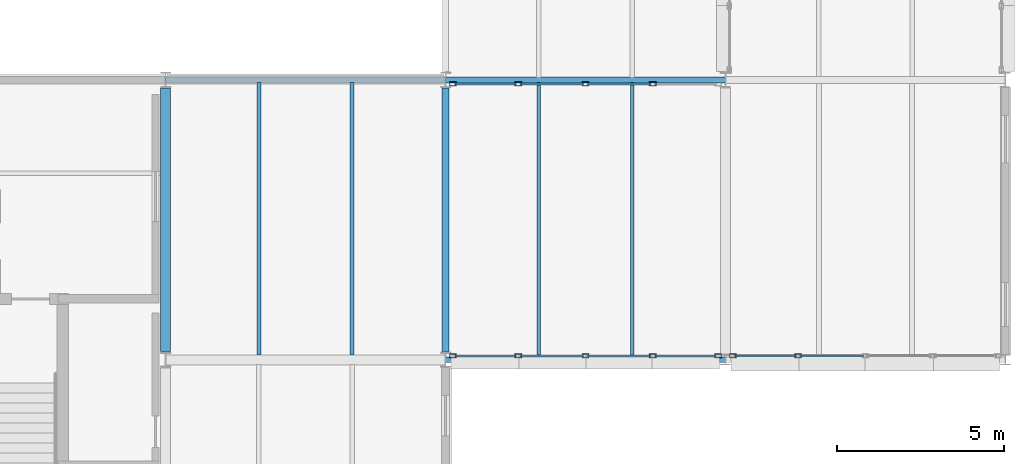
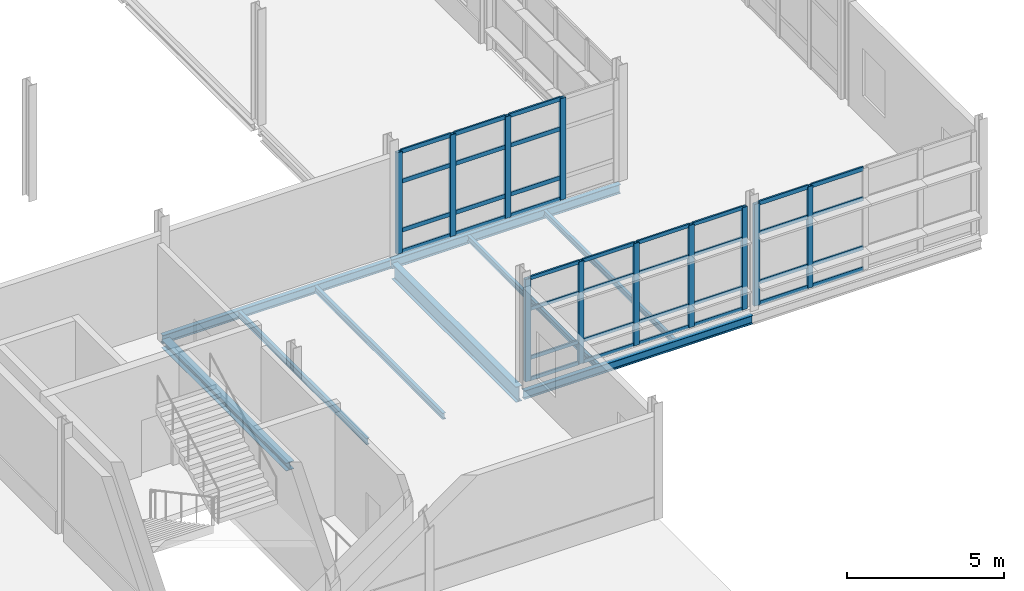
# One storey, part 37 of 129: 47 members, 9 beams, 3 elements without a shape of their own.
"""IFC4 building model written with IfcOpenShell, lengths in metres."""

from ifc_helpers import new_model, si_unit, direction, frame, origin, origin_2d, place, context, subcontext, project, spatial, hollow_rectangle, i_section, extrude, material, material_profile, profile_set, type_object, element, aggregate, save


model = new_model("IFC4")

# Units and contexts
model_context = context("Model", 3, precision=1e-05, world=origin(), true_north=direction((0.0, 1.0)))
body_context = subcontext(model_context, "Body", "Model", "MODEL_VIEW")
ifc_project = project(units=[si_unit("LENGTHUNIT", "METRE"), si_unit("AREAUNIT", "SQUARE_METRE"), si_unit("VOLUMEUNIT", "CUBIC_METRE"), si_unit("PLANEANGLEUNIT", "RADIAN"), si_unit("MASSUNIT", "GRAM", prefix="KILO")], contexts=[model_context])

# Site, building, storey
site_placement = place(None, origin())
site = spatial("IfcSite", under=ifc_project, at=site_placement, CompositionType="ELEMENT")
building_placement = place(site_placement, origin())
building = spatial("IfcBuilding", under=site, at=building_placement, Name="Mersafa Astral City Hall", CompositionType="ELEMENT")
storey_placement = place(building_placement, frame((0.0, 0.0, 5.39990234375)))
storey = spatial("IfcBuildingStorey", under=building, at=storey_placement, Name="L01", CompositionType="ELEMENT", Elevation=5.39990234375)

# Curtain wall, members
ifc_material_1 = material(Name="Anodised bronze aluminium framing", Category="aluminium")
curtain_wall_type_1 = type_object("IfcCurtainWallType", Name="ENV-CW-5", PredefinedType="USERDEFINED", material=ifc_material_1)
curtain_wall_1_placement = place(storey_placement, origin())
curtain_wall_1 = element("IfcCurtainWall", 1, at=curtain_wall_1_placement, inside=storey, type_object=curtain_wall_type_1, Name="L01 Unitised solar curtain wall 82", ObjectType="UNITISED CURTAIN WALL", PredefinedType="USERDEFINED")
ifc_material_profile_1 = material_profile(ifc_material_1, hollow_rectangle(XDim=0.1201171875, YDim=0.199951171875, WallThickness=0.008056640625, at=origin_2d()), Name="RHS 120x200x8")
ifc_profile_set_1 = profile_set([ifc_material_profile_1], Name="Anodised bronze aluminium framing")
member_type_1 = type_object("IfcMemberType", Name="ENV-CW-MUL-2", PredefinedType="MULLION", material=ifc_profile_set_1)
member_1_placement = place(storey_placement, frame((31.4189453125, 92.280029296875, -0.001953125), z_axis=(0.0, 0.0, 1.0), x_axis=(0.0, -1.0, 0.0)))
member_1 = element("IfcMember", 2, at=member_1_placement, type_object=member_type_1, Name="CW-5 mullion 2", PredefinedType="MULLION", context=body_context, shape_type="SweptSolid", body=[
    extrude(hollow_rectangle(XDim=0.1201171875, YDim=0.199951171875, WallThickness=0.008056640625, at=origin_2d()), origin(), (0.0, 0.0, 1.0), 3.93896484375),
])
member_2_placement = place(storey_placement, frame((29.39990234375, 92.280029296875, -0.001953125), z_axis=(0.0, 0.0, 1.0), x_axis=(0.0, -1.0, 0.0)))
member_2 = element("IfcMember", 3, at=member_2_placement, type_object=member_type_1, Name="CW-5 mullion 3", PredefinedType="MULLION", context=body_context, shape_type="SweptSolid", body=[
    extrude(hollow_rectangle(XDim=0.1201171875, YDim=0.199951171875, WallThickness=0.008056640625, at=origin_2d()), origin(), (0.0, 0.0, 1.0), 3.93896484375),
])
member_3_placement = place(storey_placement, frame((27.381103515625, 92.280029296875, -0.001953125), z_axis=(0.0, 0.0, 1.0), x_axis=(0.0, -1.0, 0.0)))
member_3 = element("IfcMember", 4, at=member_3_placement, type_object=member_type_1, Name="CW-5 mullion 4", PredefinedType="MULLION", context=body_context, shape_type="SweptSolid", body=[
    extrude(hollow_rectangle(XDim=0.1201171875, YDim=0.199951171875, WallThickness=0.008056640625, at=origin_2d()), origin(), (0.0, 0.0, 1.0), 3.93896484375),
])
member_4_placement = place(storey_placement, frame((25.422119140625, 92.280029296875, -0.001953125), z_axis=(0.0, 0.0, 1.0), x_axis=(0.0, -1.0, 0.0)))
member_4 = element("IfcMember", 5, at=member_4_placement, type_object=member_type_1, Name="CW-5 mullion 5", PredefinedType="MULLION", context=body_context, shape_type="SweptSolid", body=[
    extrude(hollow_rectangle(XDim=0.1201171875, YDim=0.199951171875, WallThickness=0.008056640625, at=origin_2d()), origin(), (0.0, 0.0, 1.0), 3.93896484375),
])

curtain_wall_type_2 = type_object("IfcCurtainWallType", Name="ENV-CW-6", PredefinedType="USERDEFINED", material=ifc_material_1)
curtain_wall_2_placement = place(storey_placement, origin())
curtain_wall_2 = element("IfcCurtainWall", 6, at=curtain_wall_2_placement, inside=storey, type_object=curtain_wall_type_2, Name="L01 Unitised solar curtain wall 83", ObjectType="UNITISED CURTAIN WALL", PredefinedType="USERDEFINED")
member_5_placement = place(storey_placement, frame((25.422119140625, 84.1201171875, -0.001953125), z_axis=(0.0, 0.0, 1.0), x_axis=(0.0, 1.0, 0.0)))
member_5 = element("IfcMember", 7, at=member_5_placement, type_object=member_type_1, Name="CW-6 mullion 1", PredefinedType="MULLION", context=body_context, shape_type="SweptSolid", body=[
    extrude(hollow_rectangle(XDim=0.1201171875, YDim=0.199951171875, WallThickness=0.008056640625, at=origin_2d()), origin(), (0.0, 0.0, 1.0), 3.968994140625),
])
member_6_placement = place(storey_placement, frame((27.381103515625, 84.1201171875, -0.001953125), z_axis=(0.0, 0.0, 1.0), x_axis=(0.0, 1.0, 0.0)))
member_6 = element("IfcMember", 8, at=member_6_placement, type_object=member_type_1, Name="CW-6 mullion 2", PredefinedType="MULLION", context=body_context, shape_type="SweptSolid", body=[
    extrude(hollow_rectangle(XDim=0.1201171875, YDim=0.199951171875, WallThickness=0.008056640625, at=origin_2d()), origin(), (0.0, 0.0, 1.0), 3.968994140625),
])
member_7_placement = place(storey_placement, frame((29.39990234375, 84.1201171875, -0.001953125), z_axis=(0.0, 0.0, 1.0), x_axis=(0.0, 1.0, 0.0)))
member_7 = element("IfcMember", 9, at=member_7_placement, type_object=member_type_1, Name="CW-6 mullion 3", PredefinedType="MULLION", context=body_context, shape_type="SweptSolid", body=[
    extrude(hollow_rectangle(XDim=0.1201171875, YDim=0.199951171875, WallThickness=0.008056640625, at=origin_2d()), origin(), (0.0, 0.0, 1.0), 3.968994140625),
])
member_8_placement = place(storey_placement, frame((31.4189453125, 84.1201171875, -0.001953125), z_axis=(0.0, 0.0, 1.0), x_axis=(0.0, 1.0, 0.0)))
member_8 = element("IfcMember", 10, at=member_8_placement, type_object=member_type_1, Name="CW-6 mullion 4", PredefinedType="MULLION", context=body_context, shape_type="SweptSolid", body=[
    extrude(hollow_rectangle(XDim=0.1201171875, YDim=0.199951171875, WallThickness=0.008056640625, at=origin_2d()), origin(), (0.0, 0.0, 1.0), 3.968994140625),
])
member_9_placement = place(storey_placement, frame((33.3779296875, 84.1201171875, -0.001953125), z_axis=(0.0, 0.0, 1.0), x_axis=(0.0, 1.0, 0.0)))
member_9 = element("IfcMember", 11, at=member_9_placement, type_object=member_type_1, Name="CW-6 mullion 5", PredefinedType="MULLION", context=body_context, shape_type="SweptSolid", body=[
    extrude(hollow_rectangle(XDim=0.1201171875, YDim=0.199951171875, WallThickness=0.008056640625, at=origin_2d()), origin(), (0.0, 0.0, 1.0), 3.968994140625),
])

curtain_wall_type_3 = type_object("IfcCurtainWallType", Name="ENV-CW-1", PredefinedType="USERDEFINED", material=ifc_material_1)
curtain_wall_3_placement = place(storey_placement, origin())
curtain_wall_3 = element("IfcCurtainWall", 12, at=curtain_wall_3_placement, inside=storey, type_object=curtain_wall_type_3, Name="L01 Unitised solar curtain wall 84", ObjectType="UNITISED CURTAIN WALL", PredefinedType="USERDEFINED")
member_10_placement = place(storey_placement, frame((33.822021484375, 84.1201171875, -0.001953125), z_axis=(0.0, 0.0, 1.0), x_axis=(0.0, 1.0, 0.0)))
member_10 = element("IfcMember", 13, at=member_10_placement, type_object=member_type_1, Name="CW-1 mullion 1", PredefinedType="MULLION", context=body_context, shape_type="SweptSolid", body=[
    extrude(hollow_rectangle(XDim=0.1201171875, YDim=0.199951171875, WallThickness=0.008056640625, at=origin_2d()), origin(), (0.0, 0.0, 1.0), 3.93896484375),
])
member_11_placement = place(storey_placement, frame((35.781005859375, 84.1201171875, -0.001953125), z_axis=(0.0, 0.0, 1.0), x_axis=(0.0, 1.0, 0.0)))
member_11 = element("IfcMember", 14, at=member_11_placement, type_object=member_type_1, Name="CW-1 mullion 2", PredefinedType="MULLION", context=body_context, shape_type="SweptSolid", body=[
    extrude(hollow_rectangle(XDim=0.1201171875, YDim=0.199951171875, WallThickness=0.008056640625, at=origin_2d()), origin(), (0.0, 0.0, 1.0), 3.93896484375),
])

# Member
ifc_material_profile_2 = material_profile(ifc_material_1, hollow_rectangle(XDim=0.06005859375, YDim=0.139892578125, WallThickness=0.00390625, at=origin_2d()), Name="RHS 60x140x4")
ifc_profile_set_2 = profile_set([ifc_material_profile_2], Name="Anodised bronze aluminium framing")
member_type_2 = type_object("IfcMemberType", Name="ENV-CW-TRN-1", PredefinedType="USERDEFINED", material=ifc_profile_set_2)
member_12_placement = place(storey_placement, frame((25.48193359375, 84.1201171875, 0.028076171875), z_axis=(1.0, 0.0, 0.0), x_axis=(0.0, 1.0, 0.0)))
member_12 = element("IfcMember", 15, at=member_12_placement, type_object=member_type_2, Name="CW-6 transom 1.1", ObjectType="TRANSOM", PredefinedType="USERDEFINED", context=body_context, shape_type="SweptSolid", body=[
    extrude(hollow_rectangle(XDim=0.06005859375, YDim=0.139892578125, WallThickness=0.00390625, at=origin_2d()), origin(), (0.0, 0.0, 1.0), 1.839111328125),
])

member_13_placement = place(storey_placement, frame((25.48193359375, 84.1201171875, 0.85009765625), z_axis=(1.0, 0.0, 0.0), x_axis=(0.0, 1.0, 0.0)))
member_13 = element("IfcMember", 16, at=member_13_placement, type_object=member_type_2, Name="CW-6 transom 1.2", ObjectType="TRANSOM", PredefinedType="USERDEFINED", context=body_context, shape_type="SweptSolid", body=[
    extrude(hollow_rectangle(XDim=0.06005859375, YDim=0.139892578125, WallThickness=0.00390625, at=origin_2d()), origin(), (0.0, 0.0, 1.0), 1.839111328125),
])

member_14_placement = place(storey_placement, frame((25.48193359375, 84.1201171875, 2.75), z_axis=(1.0, 0.0, 0.0), x_axis=(0.0, 1.0, 0.0)))
member_14 = element("IfcMember", 17, at=member_14_placement, type_object=member_type_2, Name="CW-6 transom 1.3", ObjectType="TRANSOM", PredefinedType="USERDEFINED", context=body_context, shape_type="SweptSolid", body=[
    extrude(hollow_rectangle(XDim=0.06005859375, YDim=0.139892578125, WallThickness=0.00390625, at=origin_2d()), origin(), (0.0, 0.0, 1.0), 1.839111328125),
])

member_15_placement = place(storey_placement, frame((25.48193359375, 84.1201171875, 3.93701171875), z_axis=(1.0, 0.0, 0.0), x_axis=(0.0, 1.0, 0.0)))
member_15 = element("IfcMember", 18, at=member_15_placement, type_object=member_type_2, Name="CW-6 transom 1.4", ObjectType="TRANSOM", PredefinedType="USERDEFINED", context=body_context, shape_type="SweptSolid", body=[
    extrude(hollow_rectangle(XDim=0.06005859375, YDim=0.139892578125, WallThickness=0.00390625, at=origin_2d()), origin(), (0.0, 0.0, 1.0), 1.839111328125),
])

member_16_placement = place(storey_placement, frame((27.44091796875, 84.1201171875, 0.028076171875), z_axis=(1.0, 0.0, 0.0), x_axis=(0.0, 1.0, 0.0)))
member_16 = element("IfcMember", 19, at=member_16_placement, type_object=member_type_2, Name="CW-6 transom 2.1", ObjectType="TRANSOM", PredefinedType="USERDEFINED", context=body_context, shape_type="SweptSolid", body=[
    extrude(hollow_rectangle(XDim=0.06005859375, YDim=0.139892578125, WallThickness=0.00390625, at=origin_2d()), origin(), (0.0, 0.0, 1.0), 1.899169921875),
])

member_17_placement = place(storey_placement, frame((27.44091796875, 84.1201171875, 0.85009765625), z_axis=(1.0, 0.0, 0.0), x_axis=(0.0, 1.0, 0.0)))
member_17 = element("IfcMember", 20, at=member_17_placement, type_object=member_type_2, Name="CW-6 transom 2.2", ObjectType="TRANSOM", PredefinedType="USERDEFINED", context=body_context, shape_type="SweptSolid", body=[
    extrude(hollow_rectangle(XDim=0.06005859375, YDim=0.139892578125, WallThickness=0.00390625, at=origin_2d()), origin(), (0.0, 0.0, 1.0), 1.899169921875),
])

member_18_placement = place(storey_placement, frame((27.44091796875, 84.1201171875, 2.75), z_axis=(1.0, 0.0, 0.0), x_axis=(0.0, 1.0, 0.0)))
member_18 = element("IfcMember", 21, at=member_18_placement, type_object=member_type_2, Name="CW-6 transom 2.3", ObjectType="TRANSOM", PredefinedType="USERDEFINED", context=body_context, shape_type="SweptSolid", body=[
    extrude(hollow_rectangle(XDim=0.06005859375, YDim=0.139892578125, WallThickness=0.00390625, at=origin_2d()), origin(), (0.0, 0.0, 1.0), 1.899169921875),
])

member_19_placement = place(storey_placement, frame((27.44091796875, 84.1201171875, 3.93701171875), z_axis=(1.0, 0.0, 0.0), x_axis=(0.0, 1.0, 0.0)))
member_19 = element("IfcMember", 22, at=member_19_placement, type_object=member_type_2, Name="CW-6 transom 2.4", ObjectType="TRANSOM", PredefinedType="USERDEFINED", context=body_context, shape_type="SweptSolid", body=[
    extrude(hollow_rectangle(XDim=0.06005859375, YDim=0.139892578125, WallThickness=0.00390625, at=origin_2d()), origin(), (0.0, 0.0, 1.0), 1.899169921875),
])

member_20_placement = place(storey_placement, frame((29.4599609375, 84.1201171875, 0.028076171875), z_axis=(1.0, 0.0, 0.0), x_axis=(0.0, 1.0, 0.0)))
member_20 = element("IfcMember", 23, at=member_20_placement, type_object=member_type_2, Name="CW-6 transom 3.1", ObjectType="TRANSOM", PredefinedType="USERDEFINED", context=body_context, shape_type="SweptSolid", body=[
    extrude(hollow_rectangle(XDim=0.06005859375, YDim=0.139892578125, WallThickness=0.00390625, at=origin_2d()), origin(), (0.0, 0.0, 1.0), 1.89892578125),
])

member_21_placement = place(storey_placement, frame((29.4599609375, 84.1201171875, 0.85009765625), z_axis=(1.0, 0.0, 0.0), x_axis=(0.0, 1.0, 0.0)))
member_21 = element("IfcMember", 24, at=member_21_placement, type_object=member_type_2, Name="CW-6 transom 3.2", ObjectType="TRANSOM", PredefinedType="USERDEFINED", context=body_context, shape_type="SweptSolid", body=[
    extrude(hollow_rectangle(XDim=0.06005859375, YDim=0.139892578125, WallThickness=0.00390625, at=origin_2d()), origin(), (0.0, 0.0, 1.0), 1.89892578125),
])

member_22_placement = place(storey_placement, frame((29.4599609375, 84.1201171875, 2.75), z_axis=(1.0, 0.0, 0.0), x_axis=(0.0, 1.0, 0.0)))
member_22 = element("IfcMember", 25, at=member_22_placement, type_object=member_type_2, Name="CW-6 transom 3.3", ObjectType="TRANSOM", PredefinedType="USERDEFINED", context=body_context, shape_type="SweptSolid", body=[
    extrude(hollow_rectangle(XDim=0.06005859375, YDim=0.139892578125, WallThickness=0.00390625, at=origin_2d()), origin(), (0.0, 0.0, 1.0), 1.89892578125),
])

member_23_placement = place(storey_placement, frame((29.4599609375, 84.1201171875, 3.93701171875), z_axis=(1.0, 0.0, 0.0), x_axis=(0.0, 1.0, 0.0)))
member_23 = element("IfcMember", 26, at=member_23_placement, type_object=member_type_2, Name="CW-6 transom 3.4", ObjectType="TRANSOM", PredefinedType="USERDEFINED", context=body_context, shape_type="SweptSolid", body=[
    extrude(hollow_rectangle(XDim=0.06005859375, YDim=0.139892578125, WallThickness=0.00390625, at=origin_2d()), origin(), (0.0, 0.0, 1.0), 1.89892578125),
])

member_24_placement = place(storey_placement, frame((31.47900390625, 84.1201171875, 0.028076171875), z_axis=(1.0, 0.0, 0.0), x_axis=(0.0, 1.0, 0.0)))
member_24 = element("IfcMember", 27, at=member_24_placement, type_object=member_type_2, Name="CW-6 transom 4.1", ObjectType="TRANSOM", PredefinedType="USERDEFINED", context=body_context, shape_type="SweptSolid", body=[
    extrude(hollow_rectangle(XDim=0.06005859375, YDim=0.139892578125, WallThickness=0.00390625, at=origin_2d()), origin(), (0.0, 0.0, 1.0), 1.839111328125),
])

member_25_placement = place(storey_placement, frame((31.47900390625, 84.1201171875, 0.85009765625), z_axis=(1.0, 0.0, 0.0), x_axis=(0.0, 1.0, 0.0)))
member_25 = element("IfcMember", 28, at=member_25_placement, type_object=member_type_2, Name="CW-6 transom 4.2", ObjectType="TRANSOM", PredefinedType="USERDEFINED", context=body_context, shape_type="SweptSolid", body=[
    extrude(hollow_rectangle(XDim=0.06005859375, YDim=0.139892578125, WallThickness=0.00390625, at=origin_2d()), origin(), (0.0, 0.0, 1.0), 1.839111328125),
])

member_26_placement = place(storey_placement, frame((31.47900390625, 84.1201171875, 2.75), z_axis=(1.0, 0.0, 0.0), x_axis=(0.0, 1.0, 0.0)))
member_26 = element("IfcMember", 29, at=member_26_placement, type_object=member_type_2, Name="CW-6 transom 4.3", ObjectType="TRANSOM", PredefinedType="USERDEFINED", context=body_context, shape_type="SweptSolid", body=[
    extrude(hollow_rectangle(XDim=0.06005859375, YDim=0.139892578125, WallThickness=0.00390625, at=origin_2d()), origin(), (0.0, 0.0, 1.0), 1.839111328125),
])

member_27_placement = place(storey_placement, frame((31.47900390625, 84.1201171875, 3.93701171875), z_axis=(1.0, 0.0, 0.0), x_axis=(0.0, 1.0, 0.0)))
member_27 = element("IfcMember", 30, at=member_27_placement, type_object=member_type_2, Name="CW-6 transom 4.4", ObjectType="TRANSOM", PredefinedType="USERDEFINED", context=body_context, shape_type="SweptSolid", body=[
    extrude(hollow_rectangle(XDim=0.06005859375, YDim=0.139892578125, WallThickness=0.00390625, at=origin_2d()), origin(), (0.0, 0.0, 1.0), 1.839111328125),
])

aggregate(curtain_wall_2, [member_5, member_6, member_7, member_8, member_9, member_12, member_13, member_14, member_15, member_16, member_17, member_18, member_19, member_20, member_21, member_22, member_23, member_24, member_25, member_26, member_27])

ifc_material_profile_3 = material_profile(ifc_material_1, hollow_rectangle(XDim=0.06005859375, YDim=0.159912109375, WallThickness=0.00390625, at=origin_2d()), Name="RHS 60x160x4")
ifc_profile_set_3 = profile_set([ifc_material_profile_3], Name="Anodised bronze aluminium framing")
member_type_3 = type_object("IfcMemberType", Name="ENV-CW-TRN-2", PredefinedType="USERDEFINED", material=ifc_profile_set_3)
member_28_placement = place(storey_placement, frame((31.35888671875, 92.280029296875, 0.028076171875), z_axis=(-1.0, 0.0, 0.0), x_axis=(0.0, -1.0, 0.0)))
member_28 = element("IfcMember", 31, at=member_28_placement, type_object=member_type_3, Name="CW-5 transom 2.1", ObjectType="TRANSOM", PredefinedType="USERDEFINED", context=body_context, shape_type="SweptSolid", body=[
    extrude(hollow_rectangle(XDim=0.06005859375, YDim=0.159912109375, WallThickness=0.00390625, at=origin_2d()), origin(), (0.0, 0.0, 1.0), 1.89892578125),
])

member_29_placement = place(storey_placement, frame((31.35888671875, 92.280029296875, 0.85009765625), z_axis=(-1.0, 0.0, 0.0), x_axis=(0.0, -1.0, 0.0)))
member_29 = element("IfcMember", 32, at=member_29_placement, type_object=member_type_3, Name="CW-5 transom 2.2", ObjectType="TRANSOM", PredefinedType="USERDEFINED", context=body_context, shape_type="SweptSolid", body=[
    extrude(hollow_rectangle(XDim=0.06005859375, YDim=0.159912109375, WallThickness=0.00390625, at=origin_2d()), origin(), (0.0, 0.0, 1.0), 1.89892578125),
])

member_30_placement = place(storey_placement, frame((31.35888671875, 92.280029296875, 2.75), z_axis=(-1.0, 0.0, 0.0), x_axis=(0.0, -1.0, 0.0)))
member_30 = element("IfcMember", 33, at=member_30_placement, type_object=member_type_3, Name="CW-5 transom 2.3", ObjectType="TRANSOM", PredefinedType="USERDEFINED", context=body_context, shape_type="SweptSolid", body=[
    extrude(hollow_rectangle(XDim=0.06005859375, YDim=0.159912109375, WallThickness=0.00390625, at=origin_2d()), origin(), (0.0, 0.0, 1.0), 1.89892578125),
])

member_31_placement = place(storey_placement, frame((31.35888671875, 92.280029296875, 3.906982421875), z_axis=(-1.0, 0.0, 0.0), x_axis=(0.0, -1.0, 0.0)))
member_31 = element("IfcMember", 34, at=member_31_placement, type_object=member_type_3, Name="CW-5 transom 2.4", ObjectType="TRANSOM", PredefinedType="USERDEFINED", context=body_context, shape_type="SweptSolid", body=[
    extrude(hollow_rectangle(XDim=0.06005859375, YDim=0.159912109375, WallThickness=0.00390625, at=origin_2d()), origin(), (0.0, 0.0, 1.0), 1.89892578125),
])

member_32_placement = place(storey_placement, frame((29.340087890625, 92.280029296875, 0.028076171875), z_axis=(-1.0, 0.0, 0.0), x_axis=(0.0, -1.0, 0.0)))
member_32 = element("IfcMember", 35, at=member_32_placement, type_object=member_type_3, Name="CW-5 transom 3.1", ObjectType="TRANSOM", PredefinedType="USERDEFINED", context=body_context, shape_type="SweptSolid", body=[
    extrude(hollow_rectangle(XDim=0.06005859375, YDim=0.159912109375, WallThickness=0.00390625, at=origin_2d()), origin(), (0.0, 0.0, 1.0), 1.899169921875),
])

member_33_placement = place(storey_placement, frame((29.340087890625, 92.280029296875, 0.85009765625), z_axis=(-1.0, 0.0, 0.0), x_axis=(0.0, -1.0, 0.0)))
member_33 = element("IfcMember", 36, at=member_33_placement, type_object=member_type_3, Name="CW-5 transom 3.2", ObjectType="TRANSOM", PredefinedType="USERDEFINED", context=body_context, shape_type="SweptSolid", body=[
    extrude(hollow_rectangle(XDim=0.06005859375, YDim=0.159912109375, WallThickness=0.00390625, at=origin_2d()), origin(), (0.0, 0.0, 1.0), 1.899169921875),
])

member_34_placement = place(storey_placement, frame((29.340087890625, 92.280029296875, 2.75), z_axis=(-1.0, 0.0, 0.0), x_axis=(0.0, -1.0, 0.0)))
member_34 = element("IfcMember", 37, at=member_34_placement, type_object=member_type_3, Name="CW-5 transom 3.3", ObjectType="TRANSOM", PredefinedType="USERDEFINED", context=body_context, shape_type="SweptSolid", body=[
    extrude(hollow_rectangle(XDim=0.06005859375, YDim=0.159912109375, WallThickness=0.00390625, at=origin_2d()), origin(), (0.0, 0.0, 1.0), 1.899169921875),
])

member_35_placement = place(storey_placement, frame((29.340087890625, 92.280029296875, 3.906982421875), z_axis=(-1.0, 0.0, 0.0), x_axis=(0.0, -1.0, 0.0)))
member_35 = element("IfcMember", 38, at=member_35_placement, type_object=member_type_3, Name="CW-5 transom 3.4", ObjectType="TRANSOM", PredefinedType="USERDEFINED", context=body_context, shape_type="SweptSolid", body=[
    extrude(hollow_rectangle(XDim=0.06005859375, YDim=0.159912109375, WallThickness=0.00390625, at=origin_2d()), origin(), (0.0, 0.0, 1.0), 1.899169921875),
])

member_36_placement = place(storey_placement, frame((27.321044921875, 92.280029296875, 0.028076171875), z_axis=(-1.0, 0.0, 0.0), x_axis=(0.0, -1.0, 0.0)))
member_36 = element("IfcMember", 39, at=member_36_placement, type_object=member_type_3, Name="CW-5 transom 4.1", ObjectType="TRANSOM", PredefinedType="USERDEFINED", context=body_context, shape_type="SweptSolid", body=[
    extrude(hollow_rectangle(XDim=0.06005859375, YDim=0.159912109375, WallThickness=0.00390625, at=origin_2d()), origin(), (0.0, 0.0, 1.0), 1.839111328125),
])

member_37_placement = place(storey_placement, frame((27.321044921875, 92.280029296875, 0.85009765625), z_axis=(-1.0, 0.0, 0.0), x_axis=(0.0, -1.0, 0.0)))
member_37 = element("IfcMember", 40, at=member_37_placement, type_object=member_type_3, Name="CW-5 transom 4.2", ObjectType="TRANSOM", PredefinedType="USERDEFINED", context=body_context, shape_type="SweptSolid", body=[
    extrude(hollow_rectangle(XDim=0.06005859375, YDim=0.159912109375, WallThickness=0.00390625, at=origin_2d()), origin(), (0.0, 0.0, 1.0), 1.839111328125),
])

member_38_placement = place(storey_placement, frame((27.321044921875, 92.280029296875, 2.75), z_axis=(-1.0, 0.0, 0.0), x_axis=(0.0, -1.0, 0.0)))
member_38 = element("IfcMember", 41, at=member_38_placement, type_object=member_type_3, Name="CW-5 transom 4.3", ObjectType="TRANSOM", PredefinedType="USERDEFINED", context=body_context, shape_type="SweptSolid", body=[
    extrude(hollow_rectangle(XDim=0.06005859375, YDim=0.159912109375, WallThickness=0.00390625, at=origin_2d()), origin(), (0.0, 0.0, 1.0), 1.839111328125),
])

member_39_placement = place(storey_placement, frame((27.321044921875, 92.280029296875, 3.906982421875), z_axis=(-1.0, 0.0, 0.0), x_axis=(0.0, -1.0, 0.0)))
member_39 = element("IfcMember", 42, at=member_39_placement, type_object=member_type_3, Name="CW-5 transom 4.4", ObjectType="TRANSOM", PredefinedType="USERDEFINED", context=body_context, shape_type="SweptSolid", body=[
    extrude(hollow_rectangle(XDim=0.06005859375, YDim=0.159912109375, WallThickness=0.00390625, at=origin_2d()), origin(), (0.0, 0.0, 1.0), 1.839111328125),
])

aggregate(curtain_wall_1, [member_1, member_2, member_3, member_4, member_28, member_29, member_30, member_31, member_32, member_33, member_34, member_35, member_36, member_37, member_38, member_39])

member_40_placement = place(storey_placement, frame((33.882080078125, 84.1201171875, 0.028076171875), z_axis=(1.0, 0.0, 0.0), x_axis=(0.0, 1.0, 0.0)))
member_40 = element("IfcMember", 43, at=member_40_placement, type_object=member_type_3, Name="CW-1 transom 1.1", ObjectType="TRANSOM", PredefinedType="USERDEFINED", context=body_context, shape_type="SweptSolid", body=[
    extrude(hollow_rectangle(XDim=0.06005859375, YDim=0.159912109375, WallThickness=0.00390625, at=origin_2d()), origin(), (0.0, 0.0, 1.0), 1.8388671875),
])

member_41_placement = place(storey_placement, frame((33.882080078125, 84.1201171875, 0.85009765625), z_axis=(1.0, 0.0, 0.0), x_axis=(0.0, 1.0, 0.0)))
member_41 = element("IfcMember", 44, at=member_41_placement, type_object=member_type_3, Name="CW-1 transom 1.2", ObjectType="TRANSOM", PredefinedType="USERDEFINED", context=body_context, shape_type="SweptSolid", body=[
    extrude(hollow_rectangle(XDim=0.06005859375, YDim=0.159912109375, WallThickness=0.00390625, at=origin_2d()), origin(), (0.0, 0.0, 1.0), 1.8388671875),
])

member_42_placement = place(storey_placement, frame((33.882080078125, 84.1201171875, 2.75), z_axis=(1.0, 0.0, 0.0), x_axis=(0.0, 1.0, 0.0)))
member_42 = element("IfcMember", 45, at=member_42_placement, type_object=member_type_3, Name="CW-1 transom 1.3", ObjectType="TRANSOM", PredefinedType="USERDEFINED", context=body_context, shape_type="SweptSolid", body=[
    extrude(hollow_rectangle(XDim=0.06005859375, YDim=0.159912109375, WallThickness=0.00390625, at=origin_2d()), origin(), (0.0, 0.0, 1.0), 1.8388671875),
])

member_43_placement = place(storey_placement, frame((33.882080078125, 84.1201171875, 3.906982421875), z_axis=(1.0, 0.0, 0.0), x_axis=(0.0, 1.0, 0.0)))
member_43 = element("IfcMember", 46, at=member_43_placement, type_object=member_type_3, Name="CW-1 transom 1.4", ObjectType="TRANSOM", PredefinedType="USERDEFINED", context=body_context, shape_type="SweptSolid", body=[
    extrude(hollow_rectangle(XDim=0.06005859375, YDim=0.159912109375, WallThickness=0.00390625, at=origin_2d()), origin(), (0.0, 0.0, 1.0), 1.8388671875),
])

member_44_placement = place(storey_placement, frame((35.841064453125, 84.1201171875, 0.028076171875), z_axis=(1.0, 0.0, 0.0), x_axis=(0.0, 1.0, 0.0)))
member_44 = element("IfcMember", 47, at=member_44_placement, type_object=member_type_3, Name="CW-1 transom 2.1", ObjectType="TRANSOM", PredefinedType="USERDEFINED", context=body_context, shape_type="SweptSolid", body=[
    extrude(hollow_rectangle(XDim=0.06005859375, YDim=0.159912109375, WallThickness=0.00390625, at=origin_2d()), origin(), (0.0, 0.0, 1.0), 1.89892578125),
])

member_45_placement = place(storey_placement, frame((35.841064453125, 84.1201171875, 0.85009765625), z_axis=(1.0, 0.0, 0.0), x_axis=(0.0, 1.0, 0.0)))
member_45 = element("IfcMember", 48, at=member_45_placement, type_object=member_type_3, Name="CW-1 transom 2.2", ObjectType="TRANSOM", PredefinedType="USERDEFINED", context=body_context, shape_type="SweptSolid", body=[
    extrude(hollow_rectangle(XDim=0.06005859375, YDim=0.159912109375, WallThickness=0.00390625, at=origin_2d()), origin(), (0.0, 0.0, 1.0), 1.89892578125),
])

member_46_placement = place(storey_placement, frame((35.841064453125, 84.1201171875, 2.75), z_axis=(1.0, 0.0, 0.0), x_axis=(0.0, 1.0, 0.0)))
member_46 = element("IfcMember", 49, at=member_46_placement, type_object=member_type_3, Name="CW-1 transom 2.3", ObjectType="TRANSOM", PredefinedType="USERDEFINED", context=body_context, shape_type="SweptSolid", body=[
    extrude(hollow_rectangle(XDim=0.06005859375, YDim=0.159912109375, WallThickness=0.00390625, at=origin_2d()), origin(), (0.0, 0.0, 1.0), 1.89892578125),
])

member_47_placement = place(storey_placement, frame((35.841064453125, 84.1201171875, 3.906982421875), z_axis=(1.0, 0.0, 0.0), x_axis=(0.0, 1.0, 0.0)))
member_47 = element("IfcMember", 50, at=member_47_placement, type_object=member_type_3, Name="CW-1 transom 2.4", ObjectType="TRANSOM", PredefinedType="USERDEFINED", context=body_context, shape_type="SweptSolid", body=[
    extrude(hollow_rectangle(XDim=0.06005859375, YDim=0.159912109375, WallThickness=0.00390625, at=origin_2d()), origin(), (0.0, 0.0, 1.0), 1.89892578125),
])

aggregate(curtain_wall_3, [member_10, member_11, member_40, member_41, member_42, member_43, member_44, member_45, member_46, member_47])

# Beams
ifc_material_2 = material(Name="Steel S355", Category="steel")
ifc_material_profile_4 = material_profile(ifc_material_2, i_section(OverallWidth=0.300048828125, OverallDepth=0.31005859375, WebThickness=0.009033203125, FlangeThickness=0.015380859375, FilletRadius=0.027099609375, at=origin_2d()), Name="HEA 320")
ifc_profile_set_4 = profile_set([ifc_material_profile_4], Name="Steel S355")
beam_type_1 = type_object("IfcBeamType", Name="STR-BM-HEA320", PredefinedType="BEAM", material=ifc_profile_set_4)
beam_1_placement = place(storey_placement, frame((16.800048828125, 84.2451171875, -0.3798828125), z_axis=(0.0, 1.0, 0.0), x_axis=(-1.0, 0.0, 0.0)))
element("IfcBeam", 51, at=beam_1_placement, inside=storey, type_object=beam_type_1, Name="L01 Primary girder Y 2-10", PredefinedType="BEAM", context=body_context, shape_type="SweptSolid", body=[
    extrude(i_section(OverallWidth=0.300048828125, OverallDepth=0.31005859375, WebThickness=0.009033203125, FlangeThickness=0.015380859375, FilletRadius=0.027099609375, at=origin_2d()), origin(), (0.0, 0.0, 1.0), 7.909912109375),
])
ifc_material_profile_5 = material_profile(ifc_material_2, i_section(OverallWidth=0.219970703125, OverallDepth=0.60009765625, WebThickness=0.011962890625, FlangeThickness=0.01904296875, FilletRadius=0.02392578125, at=origin_2d()), Name="IPE 600")
ifc_profile_set_5 = profile_set([ifc_material_profile_5], Name="Steel S355")
beam_type_2 = type_object("IfcBeamType", Name="STR-BM-IPE600", PredefinedType="BEAM", material=ifc_profile_set_5)
beam_2_placement = place(storey_placement, frame((25.199951171875, 84.2451171875, -0.52490234375), z_axis=(0.0, 1.0, 0.0), x_axis=(-1.0, 0.0, 0.0)))
element("IfcBeam", 52, at=beam_2_placement, inside=storey, type_object=beam_type_2, Name="L01 Primary girder Y 3-10", PredefinedType="BEAM", context=body_context, shape_type="SweptSolid", body=[
    extrude(i_section(OverallWidth=0.219970703125, OverallDepth=0.60009765625, WebThickness=0.011962890625, FlangeThickness=0.01904296875, FilletRadius=0.02392578125, at=origin_2d()), origin(), (0.0, 0.0, 1.0), 7.909912109375),
])
ifc_material_profile_6 = material_profile(ifc_material_2, i_section(OverallWidth=0.110107421875, OverallDepth=0.219970703125, WebThickness=0.005859375, FlangeThickness=0.00927734375, FilletRadius=0.011962890625, at=origin_2d()), Name="IPE 220")
ifc_profile_set_6 = profile_set([ifc_material_profile_6], Name="Steel S355")
beam_type_3 = type_object("IfcBeamType", Name="STR-BM-JOIST-IPE220", PredefinedType="JOIST", material=ifc_profile_set_6)
for number, where, z_axis, x_axis, name in (
    (53, (28.0, 84.074951171875, -0.3349609375), (0.0, 1.0, 0.0), (-1.0, 0.0, 0.0), "L01 Composite secondary floor joist 230"),
    (54, (30.800048828125, 84.074951171875, -0.3349609375), (0.0, 1.0, 0.0), (-1.0, 0.0, 0.0), "L01 Composite secondary floor joist 231"),
):
    element("IfcBeam", number, at=place(storey_placement, frame(where, z_axis=z_axis, x_axis=x_axis)), inside=storey, type_object=beam_type_3, Name=name, PredefinedType="JOIST", context=body_context, shape_type="SweptSolid", body=[
        extrude(i_section(OverallWidth=0.110107421875, OverallDepth=0.219970703125, WebThickness=0.005859375, FlangeThickness=0.00927734375, FilletRadius=0.011962890625, at=origin_2d()), origin(), (0.0, 0.0, 1.0), 8.2451171875),
    ])
ifc_material_profile_7 = material_profile(ifc_material_2, i_section(OverallWidth=0.1201171875, OverallDepth=0.239990234375, WebThickness=0.006103515625, FlangeThickness=0.009765625, FilletRadius=0.014892578125, at=origin_2d()), Name="IPE 240")
ifc_profile_set_7 = profile_set([ifc_material_profile_7], Name="Steel S355")
beam_type_4 = type_object("IfcBeamType", Name="STR-BM-JOIST-IPE240", PredefinedType="JOIST", material=ifc_profile_set_7)
for number, where, z_axis, x_axis, name in (
    (55, (19.60009765625, 84.14501953125, -0.344970703125), (0.0, 1.0, 0.0), (-1.0, 0.0, 0.0), "L01 Composite secondary floor joist 228"),
    (56, (22.39990234375, 84.14501953125, -0.344970703125), (0.0, 1.0, 0.0), (-1.0, 0.0, 0.0), "L01 Composite secondary floor joist 229"),
):
    element("IfcBeam", number, at=place(storey_placement, frame(where, z_axis=z_axis, x_axis=x_axis)), inside=storey, type_object=beam_type_4, Name=name, PredefinedType="JOIST", context=body_context, shape_type="SweptSolid", body=[
        extrude(i_section(OverallWidth=0.1201171875, OverallDepth=0.239990234375, WebThickness=0.006103515625, FlangeThickness=0.009765625, FilletRadius=0.014892578125, at=origin_2d()), origin(), (0.0, 0.0, 1.0), 8.179931640625),
    ])
ifc_material_profile_8 = material_profile(ifc_material_2, i_section(OverallWidth=0.159912109375, OverallDepth=0.330078125, WebThickness=0.007568359375, FlangeThickness=0.011474609375, FilletRadius=0.01806640625, at=origin_2d()), Name="IPE 330")
ifc_profile_set_8 = profile_set([ifc_material_profile_8], Name="Steel S355")
beam_type_5 = type_object("IfcBeamType", Name="STR-BM-SPANDREL-IPE330", PredefinedType="SPANDREL", material=ifc_profile_set_8)
for number, where, z_axis, x_axis, name in (
    (57, (25.202880859375, 84.0, -0.389892578125), (1.0, 0.0, 0.0), (0.0, 1.0, 0.0), "L01 Primary girder X 3-10"),
    (58, (16.802978515625, 92.39990234375, -0.389892578125), (1.0, 0.0, 0.0), (0.0, 1.0, 0.0), "L01 Primary girder X 2-11"),
):
    element("IfcBeam", number, at=place(storey_placement, frame(where, z_axis=z_axis, x_axis=x_axis)), inside=storey, type_object=beam_type_5, Name=name, PredefinedType="SPANDREL", context=body_context, shape_type="SweptSolid", body=[
        extrude(i_section(OverallWidth=0.159912109375, OverallDepth=0.330078125, WebThickness=0.007568359375, FlangeThickness=0.011474609375, FilletRadius=0.01806640625, at=origin_2d()), origin(), (0.0, 0.0, 1.0), 8.39404296875),
    ])
ifc_material_profile_9 = material_profile(ifc_material_2, i_section(OverallWidth=0.169921875, OverallDepth=0.360107421875, WebThickness=0.008056640625, FlangeThickness=0.0126953125, FilletRadius=0.01806640625, at=origin_2d()), Name="IPE 360")
ifc_profile_set_9 = profile_set([ifc_material_profile_9], Name="Steel S355")
beam_type_6 = type_object("IfcBeamType", Name="STR-BM-SPANDREL-IPE360", PredefinedType="SPANDREL", material=ifc_profile_set_9)
beam_3_placement = place(storey_placement, frame((25.202880859375, 92.39990234375, -0.40478515625), z_axis=(1.0, 0.0, 0.0), x_axis=(0.0, 1.0, 0.0)))
element("IfcBeam", 59, at=beam_3_placement, inside=storey, type_object=beam_type_6, Name="L01 Primary girder X 3-11", PredefinedType="SPANDREL", context=body_context, shape_type="SweptSolid", body=[
    extrude(i_section(OverallWidth=0.169921875, OverallDepth=0.360107421875, WebThickness=0.008056640625, FlangeThickness=0.0126953125, FilletRadius=0.01806640625, at=origin_2d()), origin(), (0.0, 0.0, 1.0), 8.39404296875),
])

save(model, "model.ifc")
